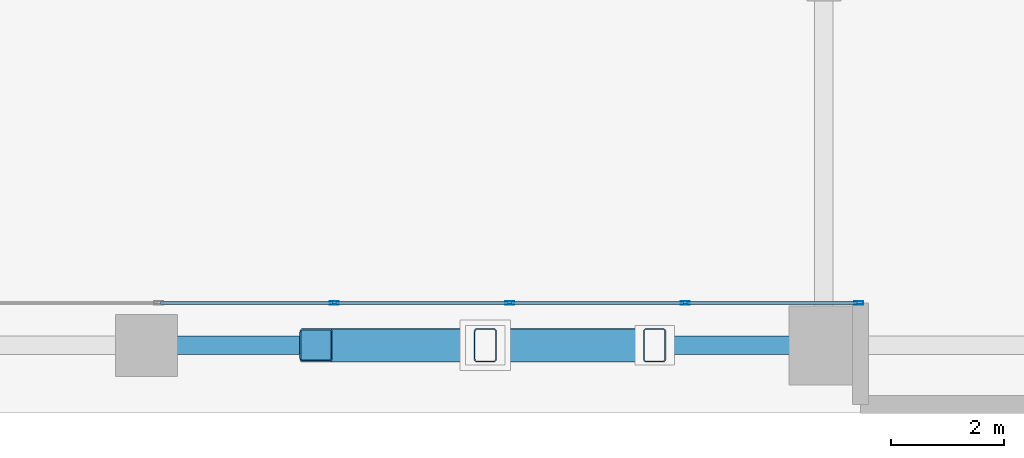
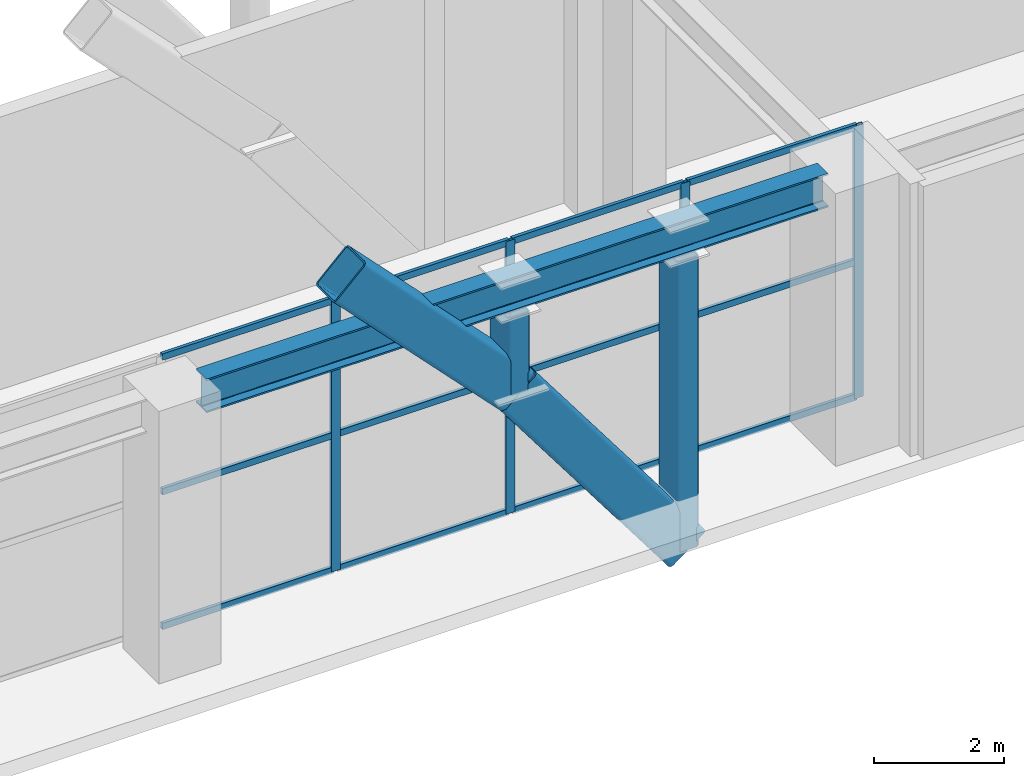
# One storey, part 7 of 28: 20 members, 1 beam, 1 element without a shape of its own.
"""IFC4 building model written with IfcOpenShell, lengths in metres."""

from ifc_helpers import new_model, si_unit, direction, frame, origin, origin_2d, place, context, subcontext, project, spatial, hollow_rectangle, i_section, extrude, material, layer, layer_set, material_profile, profile_set, type_object, element, aggregate, save


model = new_model("IFC4")

# Units and contexts
model_context = context("Model", 3, precision=1e-05, world=origin(), true_north=direction((0.0, 1.0)))
body_context = subcontext(model_context, "Body", "Model", "MODEL_VIEW")
ifc_project = project(units=[si_unit("LENGTHUNIT", "METRE"), si_unit("AREAUNIT", "SQUARE_METRE"), si_unit("VOLUMEUNIT", "CUBIC_METRE"), si_unit("PLANEANGLEUNIT", "RADIAN"), si_unit("MASSUNIT", "GRAM", prefix="KILO")], contexts=[model_context])

# Site, building, storey
site_placement = place(None, origin())
site = spatial("IfcSite", under=ifc_project, at=site_placement, CompositionType="ELEMENT")
building_placement = place(site_placement, origin())
building = spatial("IfcBuilding", under=site, at=building_placement, Name="Sarneth Arch Tower", CompositionType="ELEMENT")
storey_placement = place(building_placement, frame((0.0, 0.0, 6.0)))
storey = spatial("IfcBuildingStorey", under=building, at=storey_placement, Name="L01", CompositionType="ELEMENT", Elevation=6.0)

# Beam
ifc_material_1 = material(Name="Steel S355", Category="steel")
ifc_material_profile_1 = material_profile(ifc_material_1, i_section(OverallWidth=0.3291015625, OverallDepth=0.635009765625, WebThickness=0.017822265625, FlangeThickness=0.031005859375, FilletRadius=0.01904296875, at=origin_2d()), Name="W610x241")
ifc_profile_set_1 = profile_set([ifc_material_profile_1], Name="Steel S355")
beam_type = type_object("IfcBeamType", Name="BM-POD-610", PredefinedType="BEAM", material=ifc_profile_set_1)
beam_placement = place(storey_placement, frame((54.52001953125, 9.199951171875, 4.802490234375), z_axis=(1.0, 0.0, 0.0), x_axis=(0.0, 1.0, 0.0)))
element("IfcBeam", 1, at=beam_placement, inside=storey, type_object=beam_type, Name="L01 Podium PS girder 6", PredefinedType="BEAM", context=body_context, shape_type="SweptSolid", body=[
    extrude(i_section(OverallWidth=0.3291015625, OverallDepth=0.635009765625, WebThickness=0.017822265625, FlangeThickness=0.031005859375, FilletRadius=0.01904296875, at=origin_2d()), origin(), (0.0, 0.0, 1.0), 11.04443359375),
])

# Curtain wall, members
ifc_material_2 = material(Name="Anodised aluminium Type AA25 and solar-control low-e laminated IGU", Category="aluminium")
ifc_layer = layer(ifc_material_2, 0.199951171875)
ifc_layer_set = layer_set([ifc_layer], Name="Anodised aluminium Type AA25 and solar-control low-e laminated IGU")
curtain_wall_type = type_object("IfcCurtainWallType", Name="CW-ARCH-GLAZE", PredefinedType="NOTDEFINED", material=ifc_layer_set)
curtain_wall_placement = place(storey_placement, origin())
curtain_wall = element("IfcCurtainWall", 2, at=curtain_wall_placement, inside=storey, type_object=curtain_wall_type, Name="L01 South parabolic arch portal curtain wall", PredefinedType="NOTDEFINED")
ifc_material_3 = material(Name="Anodised Aluminium 6063-T6", Category="aluminium")
ifc_material_profile_2 = material_profile(ifc_material_3, hollow_rectangle(XDim=0.06005859375, YDim=0.159912109375, WallThickness=0.00390625, at=origin_2d()), Name="AL-MULL-160x60x4")
ifc_profile_set_2 = profile_set([ifc_material_profile_2], Name="Anodised Aluminium 6063-T6")
member_type_1 = type_object("IfcMemberType", Name="CW-MULLION", PredefinedType="MULLION", material=ifc_profile_set_2)
member_1_placement = place(storey_placement, frame((57.324951171875, 9.949951171875, 0.0), z_axis=(0.0, 0.0, 1.0), x_axis=(0.0, 1.0, 0.0)))
member_1 = element("IfcMember", 3, at=member_1_placement, type_object=member_type_1, Name="CW-SYS-2 mullion 10", PredefinedType="MULLION", context=body_context, shape_type="SweptSolid", body=[
    extrude(hollow_rectangle(XDim=0.06005859375, YDim=0.159912109375, WallThickness=0.00390625, at=origin_2d()), origin(), (0.0, 0.0, 1.0), 5.1201171875),
])
member_2_placement = place(storey_placement, frame((60.433349609375, 9.949951171875, 0.0), z_axis=(0.0, 0.0, 1.0), x_axis=(0.0, 1.0, 0.0)))
member_2 = element("IfcMember", 4, at=member_2_placement, type_object=member_type_1, Name="CW-SYS-2 mullion 11", PredefinedType="MULLION", context=body_context, shape_type="SweptSolid", body=[
    extrude(hollow_rectangle(XDim=0.06005859375, YDim=0.159912109375, WallThickness=0.00390625, at=origin_2d()), origin(), (0.0, 0.0, 1.0), 5.1201171875),
])
member_3_placement = place(storey_placement, frame((63.541748046875, 9.949951171875, 0.0), z_axis=(0.0, 0.0, 1.0), x_axis=(0.0, 1.0, 0.0)))
member_3 = element("IfcMember", 5, at=member_3_placement, type_object=member_type_1, Name="CW-SYS-2 mullion 12", PredefinedType="MULLION", context=body_context, shape_type="SweptSolid", body=[
    extrude(hollow_rectangle(XDim=0.06005859375, YDim=0.159912109375, WallThickness=0.00390625, at=origin_2d()), origin(), (0.0, 0.0, 1.0), 5.1201171875),
])
member_4_placement = place(storey_placement, frame((66.6201171875, 9.949951171875, 0.0), z_axis=(0.0, 0.0, 1.0), x_axis=(0.0, 1.0, 0.0)))
member_4 = element("IfcMember", 6, at=member_4_placement, type_object=member_type_1, Name="CW-SYS-2 mullion 13", PredefinedType="MULLION", context=body_context, shape_type="SweptSolid", body=[
    extrude(hollow_rectangle(XDim=0.06005859375, YDim=0.159912109375, WallThickness=0.00390625, at=origin_2d()), origin(), (0.0, 0.0, 1.0), 5.1201171875),
])
ifc_material_4 = material(Name="Anodised Aluminium 6063-T6", Category="aluminium")
ifc_material_profile_3 = material_profile(ifc_material_4, hollow_rectangle(XDim=0.06005859375, YDim=0.1201171875, WallThickness=0.00390625, at=origin_2d()), Name="AL-TRAN-120x60x4")
ifc_profile_set_3 = profile_set([ifc_material_profile_3], Name="Anodised Aluminium 6063-T6")
member_type_2 = type_object("IfcMemberType", Name="CW-TRANSOM", PredefinedType="USERDEFINED", material=ifc_profile_set_3)
member_5_placement = place(storey_placement, frame((54.24658203125, 9.949951171875, 0.030029296875), z_axis=(1.0, 0.0, 0.0), x_axis=(0.0, 1.0, 0.0)))
member_5 = element("IfcMember", 7, at=member_5_placement, type_object=member_type_2, Name="CW-SYS-2 transom 9.1", ObjectType="TRANSOM", PredefinedType="USERDEFINED", context=body_context, shape_type="SweptSolid", body=[
    extrude(hollow_rectangle(XDim=0.06005859375, YDim=0.1201171875, WallThickness=0.00390625, at=origin_2d()), origin(), (0.0, 0.0, 1.0), 3.04833984375),
])
member_6_placement = place(storey_placement, frame((54.24658203125, 9.949951171875, 2.56005859375), z_axis=(1.0, 0.0, 0.0), x_axis=(0.0, 1.0, 0.0)))
member_6 = element("IfcMember", 8, at=member_6_placement, type_object=member_type_2, Name="CW-SYS-2 transom 9.2", ObjectType="TRANSOM", PredefinedType="USERDEFINED", context=body_context, shape_type="SweptSolid", body=[
    extrude(hollow_rectangle(XDim=0.06005859375, YDim=0.1201171875, WallThickness=0.00390625, at=origin_2d()), origin(), (0.0, 0.0, 1.0), 3.04833984375),
])
member_7_placement = place(storey_placement, frame((54.24658203125, 9.949951171875, 5.090087890625), z_axis=(1.0, 0.0, 0.0), x_axis=(0.0, 1.0, 0.0)))
member_7 = element("IfcMember", 9, at=member_7_placement, type_object=member_type_2, Name="CW-SYS-2 transom 9.3", ObjectType="TRANSOM", PredefinedType="USERDEFINED", context=body_context, shape_type="SweptSolid", body=[
    extrude(hollow_rectangle(XDim=0.06005859375, YDim=0.1201171875, WallThickness=0.00390625, at=origin_2d()), origin(), (0.0, 0.0, 1.0), 3.04833984375),
])
member_8_placement = place(storey_placement, frame((57.35498046875, 9.949951171875, 0.030029296875), z_axis=(1.0, 0.0, 0.0), x_axis=(0.0, 1.0, 0.0)))
member_8 = element("IfcMember", 10, at=member_8_placement, type_object=member_type_2, Name="CW-SYS-2 transom 10.1", ObjectType="TRANSOM", PredefinedType="USERDEFINED", context=body_context, shape_type="SweptSolid", body=[
    extrude(hollow_rectangle(XDim=0.06005859375, YDim=0.1201171875, WallThickness=0.00390625, at=origin_2d()), origin(), (0.0, 0.0, 1.0), 3.04833984375),
])
member_9_placement = place(storey_placement, frame((57.35498046875, 9.949951171875, 2.56005859375), z_axis=(1.0, 0.0, 0.0), x_axis=(0.0, 1.0, 0.0)))
member_9 = element("IfcMember", 11, at=member_9_placement, type_object=member_type_2, Name="CW-SYS-2 transom 10.2", ObjectType="TRANSOM", PredefinedType="USERDEFINED", context=body_context, shape_type="SweptSolid", body=[
    extrude(hollow_rectangle(XDim=0.06005859375, YDim=0.1201171875, WallThickness=0.00390625, at=origin_2d()), origin(), (0.0, 0.0, 1.0), 3.04833984375),
])
member_10_placement = place(storey_placement, frame((57.35498046875, 9.949951171875, 5.090087890625), z_axis=(1.0, 0.0, 0.0), x_axis=(0.0, 1.0, 0.0)))
member_10 = element("IfcMember", 12, at=member_10_placement, type_object=member_type_2, Name="CW-SYS-2 transom 10.3", ObjectType="TRANSOM", PredefinedType="USERDEFINED", context=body_context, shape_type="SweptSolid", body=[
    extrude(hollow_rectangle(XDim=0.06005859375, YDim=0.1201171875, WallThickness=0.00390625, at=origin_2d()), origin(), (0.0, 0.0, 1.0), 3.04833984375),
])
member_11_placement = place(storey_placement, frame((60.46337890625, 9.949951171875, 0.030029296875), z_axis=(1.0, 0.0, 0.0), x_axis=(0.0, 1.0, 0.0)))
member_11 = element("IfcMember", 13, at=member_11_placement, type_object=member_type_2, Name="CW-SYS-2 transom 11.1", ObjectType="TRANSOM", PredefinedType="USERDEFINED", context=body_context, shape_type="SweptSolid", body=[
    extrude(hollow_rectangle(XDim=0.06005859375, YDim=0.1201171875, WallThickness=0.00390625, at=origin_2d()), origin(), (0.0, 0.0, 1.0), 3.04833984375),
])
member_12_placement = place(storey_placement, frame((60.46337890625, 9.949951171875, 2.56005859375), z_axis=(1.0, 0.0, 0.0), x_axis=(0.0, 1.0, 0.0)))
member_12 = element("IfcMember", 14, at=member_12_placement, type_object=member_type_2, Name="CW-SYS-2 transom 11.2", ObjectType="TRANSOM", PredefinedType="USERDEFINED", context=body_context, shape_type="SweptSolid", body=[
    extrude(hollow_rectangle(XDim=0.06005859375, YDim=0.1201171875, WallThickness=0.00390625, at=origin_2d()), origin(), (0.0, 0.0, 1.0), 3.04833984375),
])
member_13_placement = place(storey_placement, frame((60.46337890625, 9.949951171875, 5.090087890625), z_axis=(1.0, 0.0, 0.0), x_axis=(0.0, 1.0, 0.0)))
member_13 = element("IfcMember", 15, at=member_13_placement, type_object=member_type_2, Name="CW-SYS-2 transom 11.3", ObjectType="TRANSOM", PredefinedType="USERDEFINED", context=body_context, shape_type="SweptSolid", body=[
    extrude(hollow_rectangle(XDim=0.06005859375, YDim=0.1201171875, WallThickness=0.00390625, at=origin_2d()), origin(), (0.0, 0.0, 1.0), 3.04833984375),
])
member_14_placement = place(storey_placement, frame((63.57177734375, 9.949951171875, 0.030029296875), z_axis=(1.0, 0.0, 0.0), x_axis=(0.0, 1.0, 0.0)))
member_14 = element("IfcMember", 16, at=member_14_placement, type_object=member_type_2, Name="CW-SYS-2 transom 12.1", ObjectType="TRANSOM", PredefinedType="USERDEFINED", context=body_context, shape_type="SweptSolid", body=[
    extrude(hollow_rectangle(XDim=0.06005859375, YDim=0.1201171875, WallThickness=0.00390625, at=origin_2d()), origin(), (0.0, 0.0, 1.0), 3.018310546875),
])
member_15_placement = place(storey_placement, frame((63.57177734375, 9.949951171875, 2.56005859375), z_axis=(1.0, 0.0, 0.0), x_axis=(0.0, 1.0, 0.0)))
member_15 = element("IfcMember", 17, at=member_15_placement, type_object=member_type_2, Name="CW-SYS-2 transom 12.2", ObjectType="TRANSOM", PredefinedType="USERDEFINED", context=body_context, shape_type="SweptSolid", body=[
    extrude(hollow_rectangle(XDim=0.06005859375, YDim=0.1201171875, WallThickness=0.00390625, at=origin_2d()), origin(), (0.0, 0.0, 1.0), 3.018310546875),
])
member_16_placement = place(storey_placement, frame((63.57177734375, 9.949951171875, 5.090087890625), z_axis=(1.0, 0.0, 0.0), x_axis=(0.0, 1.0, 0.0)))
member_16 = element("IfcMember", 18, at=member_16_placement, type_object=member_type_2, Name="CW-SYS-2 transom 12.3", ObjectType="TRANSOM", PredefinedType="USERDEFINED", context=body_context, shape_type="SweptSolid", body=[
    extrude(hollow_rectangle(XDim=0.06005859375, YDim=0.1201171875, WallThickness=0.00390625, at=origin_2d()), origin(), (0.0, 0.0, 1.0), 3.018310546875),
])
aggregate(curtain_wall, [member_1, member_2, member_3, member_4, member_5, member_6, member_7, member_8, member_9, member_10, member_11, member_12, member_13, member_14, member_15, member_16])

# Members
ifc_material_5 = material(Name="Steel S355", Category="steel")
ifc_material_profile_4 = material_profile(ifc_material_5, hollow_rectangle(XDim=0.60009765625, YDim=0.800048828125, WallThickness=0.028076171875, InnerFilletRadius=0.0419921875, OuterFilletRadius=0.070068359375, at=origin_2d()), Name="RHS800x600x28")
ifc_profile_set_4 = profile_set([ifc_material_profile_4], Name="Steel S355")
member_type_3 = type_object("IfcMemberType", Name="MEM-ARCH-CHORD", PredefinedType="CHORD", material=ifc_profile_set_4)
member_17_placement = place(storey_placement, frame((57.0, 9.199951171875, 6.13134765625), z_axis=(0.694675220792, 0.0, -0.71932352778), x_axis=(0.0, 1.0, 0.0)))
element("IfcMember", 19, at=member_17_placement, inside=storey, type_object=member_type_3, Name="Podium parabolic arch rib 1 segment 10", PredefinedType="CHORD", context=body_context, shape_type="SweptSolid", body=[
    extrude(hollow_rectangle(XDim=0.60009765625, YDim=0.800048828125, WallThickness=0.028076171875, InnerFilletRadius=0.0419921875, OuterFilletRadius=0.070068359375, at=origin_2d()), origin(), (0.0, 0.0, 1.0), 4.318603515625),
])
member_18_placement = place(storey_placement, frame((60.0, 9.199951171875, 3.02490234375), z_axis=(0.60060981993, 0.0, -0.799542271681), x_axis=(0.0, 1.0, 0.0)))
element("IfcMember", 20, at=member_18_placement, inside=storey, type_object=member_type_3, Name="Podium parabolic arch rib 1 segment 11", PredefinedType="CHORD", context=body_context, shape_type="SweptSolid", body=[
    extrude(hollow_rectangle(XDim=0.60009765625, YDim=0.800048828125, WallThickness=0.028076171875, InnerFilletRadius=0.0419921875, OuterFilletRadius=0.070068359375, at=origin_2d()), origin(), (0.0, 0.0, 1.0), 4.994873046875),
])
ifc_material_6 = material(Name="Steel S355", Category="steel")
ifc_material_profile_5 = material_profile(ifc_material_6, hollow_rectangle(XDim=0.39990234375, YDim=0.60009765625, WallThickness=0.02197265625, InnerFilletRadius=0.032958984375, OuterFilletRadius=0.054931640625, at=origin_2d()), Name="RHS600x400x22")
ifc_profile_set_5 = profile_set([ifc_material_profile_5], Name="Steel S355")
member_type_4 = type_object("IfcMemberType", Name="MEM-ARCH-WEB", PredefinedType="BRACE", material=ifc_profile_set_5)
member_19_placement = place(storey_placement, frame((60.0, 9.199951171875, 3.02490234375), z_axis=(0.0, 0.0, 1.0), x_axis=(1.0, 0.0, 0.0)))
element("IfcMember", 21, at=member_19_placement, inside=storey, type_object=member_type_4, Name="Podium arch spandrel post 1.10A", PredefinedType="BRACE", context=body_context, shape_type="SweptSolid", body=[
    extrude(hollow_rectangle(XDim=0.39990234375, YDim=0.60009765625, WallThickness=0.02197265625, InnerFilletRadius=0.032958984375, OuterFilletRadius=0.054931640625, at=origin_2d()), origin(), (0.0, 0.0, 1.0), 1.460205078125),
])
member_20_placement = place(storey_placement, frame((63.0, 9.199951171875, -0.96875), z_axis=(0.0, 0.0, 1.0), x_axis=(1.0, 0.0, 0.0)))
element("IfcMember", 22, at=member_20_placement, inside=storey, type_object=member_type_4, Name="Podium arch spandrel post 1.11A", PredefinedType="BRACE", context=body_context, shape_type="SweptSolid", body=[
    extrude(hollow_rectangle(XDim=0.39990234375, YDim=0.60009765625, WallThickness=0.02197265625, InnerFilletRadius=0.032958984375, OuterFilletRadius=0.054931640625, at=origin_2d()), origin(), (0.0, 0.0, 1.0), 5.453857421875),
])

save(model, "model.ifc")
